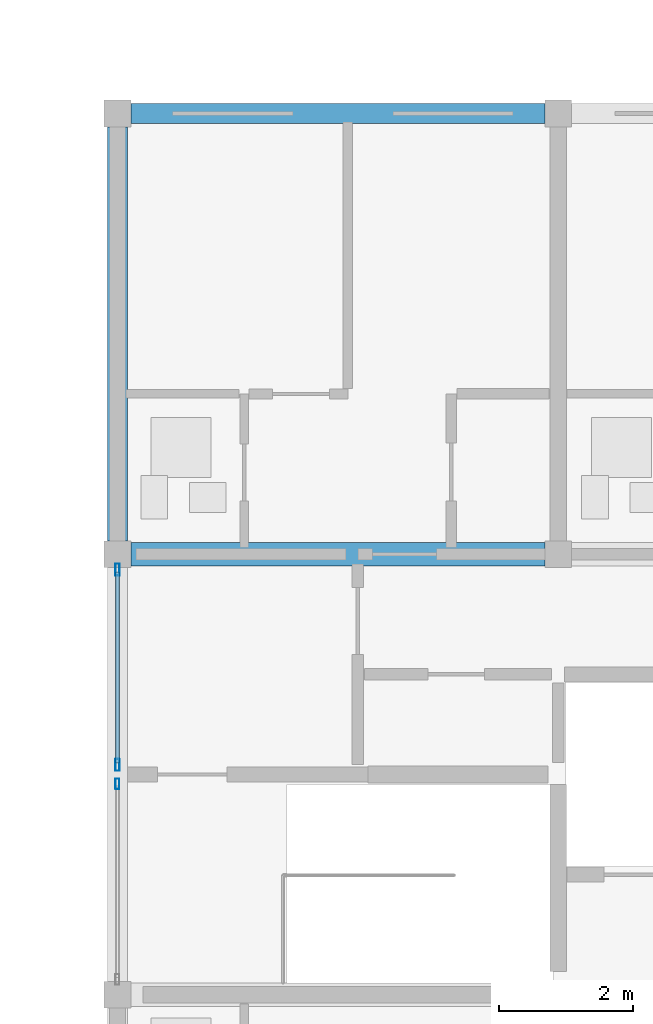
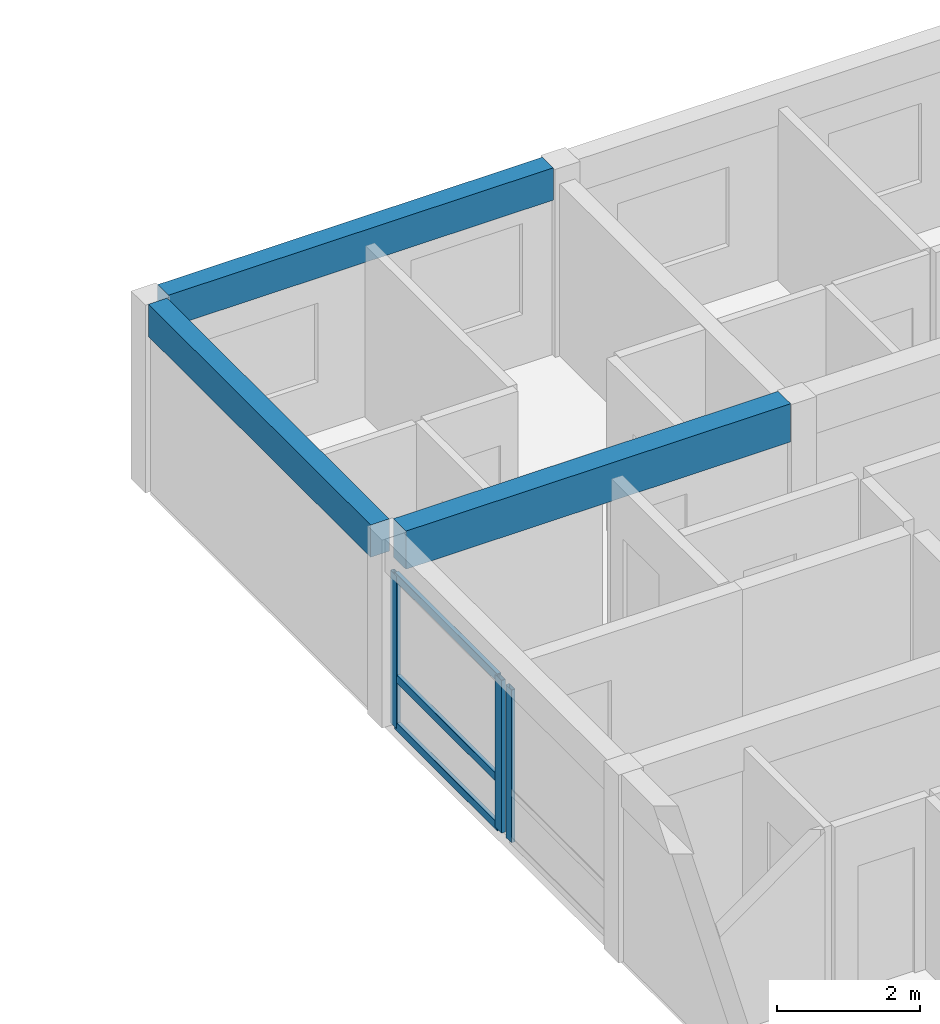
# One storey, part 9 of 23: 6 members, 3 beams, 2 elements without a shape of their own.
"""IFC4 building model written with IfcOpenShell, lengths in metres."""

from ifc_helpers import new_model, si_unit, direction, frame, origin, origin_2d, place, context, subcontext, project, spatial, rectangle, hollow_rectangle, extrude, material, material_profile, profile_set, type_object, element, aggregate, save


model = new_model("IFC4")

# Units and contexts
model_context = context("Model", 3, precision=1e-05, world=origin(), true_north=direction((0.0, 1.0)))
body_context = subcontext(model_context, "Body", "Model", "MODEL_VIEW")
ifc_project = project(units=[si_unit("LENGTHUNIT", "METRE"), si_unit("AREAUNIT", "SQUARE_METRE"), si_unit("VOLUMEUNIT", "CUBIC_METRE"), si_unit("PLANEANGLEUNIT", "RADIAN"), si_unit("MASSUNIT", "GRAM", prefix="KILO")], contexts=[model_context])

# Site, building, storey
site_placement = place(None, origin())
site = spatial("IfcSite", under=ifc_project, at=site_placement, CompositionType="ELEMENT")
building_placement = place(site_placement, origin())
building = spatial("IfcBuilding", under=site, at=building_placement, Name="Kernevlak Ridge Housing Community", CompositionType="ELEMENT")
storey_placement = place(building_placement, frame((0.0, 0.0, 46.800048828125)))
storey = spatial("IfcBuildingStorey", under=building, at=storey_placement, Name="L14", CompositionType="ELEMENT", Elevation=46.800048828125)

# Beam
ifc_material_1 = material(Name="Concrete C35/45", Category="concrete")
ifc_material_profile_1 = material_profile(ifc_material_1, rectangle(XDim=0.35009765625, YDim=0.64990234375, at=origin_2d()), Name="RC 350x650")
ifc_profile_set_1 = profile_set([ifc_material_profile_1], Name="Concrete C35/45")
beam_type_1 = type_object("IfcBeamType", Name="B-02", PredefinedType="BEAM", material=ifc_profile_set_1)
beam_placement = place(storey_placement, frame((119.60009765625, 95.800048828125, 2.875), z_axis=(1.0, 0.0, 0.0), x_axis=(0.0, 1.0, 0.0)))
element("IfcBeam", 1, at=beam_placement, inside=storey, type_object=beam_type_1, Name="Beam B-02 L14 945", PredefinedType="BEAM", context=body_context, shape_type="SweptSolid", body=[
    extrude(rectangle(XDim=0.35009765625, YDim=0.64990234375, at=origin_2d()), origin(), (0.0, 0.0, 1.0), 6.199951171875),
])

# Curtain wall, member
ifc_material_2 = material(Name="Aluminium EN AW-6060 anodised and laminated glass", Category="aluminium")
curtain_wall_type_1 = type_object("IfcCurtainWallType", Name="CW-04", PredefinedType="NOTDEFINED", material=ifc_material_2)
curtain_wall_1_placement = place(storey_placement, origin())
curtain_wall_1 = element("IfcCurtainWall", 2, at=curtain_wall_1_placement, inside=storey, type_object=curtain_wall_type_1, Name="Curtain wall CW-04 CW-L14-097", PredefinedType="NOTDEFINED")
ifc_material_3 = material(Name="Aluminium EN AW-6060 anodised", Category="aluminium")
ifc_material_profile_2 = material_profile(ifc_material_3, hollow_rectangle(XDim=0.06005859375, YDim=0.159912109375, WallThickness=0.00390625, InnerFilletRadius=0.001953125, OuterFilletRadius=0.00390625, at=origin_2d()), Name="ALU 60x160x4")
ifc_profile_set_2 = profile_set([ifc_material_profile_2], Name="Aluminium EN AW-6060 anodised")
member_type_1 = type_object("IfcMemberType", Name="MU-02", PredefinedType="MULLION", material=ifc_profile_set_2)
member_1_placement = place(storey_placement, frame((119.39990234375, 92.360107421875, 0.0), z_axis=(0.0, 0.0, 1.0), x_axis=(-1.0, 0.0, 0.0)))
member_1 = element("IfcMember", 3, at=member_1_placement, type_object=member_type_1, Name="CW-04 mullion 2", PredefinedType="MULLION", context=body_context, shape_type="SweptSolid", body=[
    extrude(hollow_rectangle(XDim=0.06005859375, YDim=0.159912109375, WallThickness=0.00390625, InnerFilletRadius=0.001953125, OuterFilletRadius=0.00390625, at=origin_2d()), origin(), (0.0, 0.0, 1.0), 2.599853515625),
])
aggregate(curtain_wall_1, [member_1])

# Curtain wall, members
curtain_wall_type_2 = type_object("IfcCurtainWallType", Name="CW-09", PredefinedType="NOTDEFINED", material=ifc_material_2)
curtain_wall_2_placement = place(storey_placement, origin())
curtain_wall_2 = element("IfcCurtainWall", 4, at=curtain_wall_2_placement, inside=storey, type_object=curtain_wall_type_2, Name="Curtain wall CW-09 CW-L14-098", PredefinedType="NOTDEFINED")
ifc_material_profile_3 = material_profile(ifc_material_3, hollow_rectangle(XDim=0.06494140625, YDim=0.179931640625, WallThickness=0.00439453125, InnerFilletRadius=0.001953125, OuterFilletRadius=0.00439453125, at=origin_2d()), Name="ALU 65x180x4.5")
ifc_profile_set_3 = profile_set([ifc_material_profile_3], Name="Aluminium EN AW-6060 anodised")
member_type_2 = type_object("IfcMemberType", Name="MU-03", PredefinedType="MULLION", material=ifc_profile_set_3)
member_2_placement = place(storey_placement, frame((119.39990234375, 92.642578125, 0.0), z_axis=(0.0, 0.0, 1.0), x_axis=(-1.0, 0.0, 0.0)))
member_2 = element("IfcMember", 5, at=member_2_placement, type_object=member_type_2, Name="CW-09 mullion 1", PredefinedType="MULLION", context=body_context, shape_type="SweptSolid", body=[
    extrude(hollow_rectangle(XDim=0.06494140625, YDim=0.179931640625, WallThickness=0.00439453125, InnerFilletRadius=0.001953125, OuterFilletRadius=0.00439453125, at=origin_2d()), origin(), (0.0, 0.0, 1.0), 2.599853515625),
])
member_3_placement = place(storey_placement, frame((119.39990234375, 95.5673828125, 0.0), z_axis=(0.0, 0.0, 1.0), x_axis=(-1.0, 0.0, 0.0)))
member_3 = element("IfcMember", 6, at=member_3_placement, type_object=member_type_2, Name="CW-09 mullion 2", PredefinedType="MULLION", context=body_context, shape_type="SweptSolid", body=[
    extrude(hollow_rectangle(XDim=0.06494140625, YDim=0.179931640625, WallThickness=0.00439453125, InnerFilletRadius=0.001953125, OuterFilletRadius=0.00439453125, at=origin_2d()), origin(), (0.0, 0.0, 1.0), 2.599853515625),
])

# Beams
ifc_material_profile_4 = material_profile(ifc_material_1, rectangle(XDim=0.300048828125, YDim=0.550048828125, at=origin_2d()), Name="RC 300x550")
ifc_profile_set_4 = profile_set([ifc_material_profile_4], Name="Concrete C35/45")
beam_type_2 = type_object("IfcBeamType", Name="SP-01", PredefinedType="SPANDREL", material=ifc_profile_set_4)
for number, where, z_axis, x_axis, name in (
    (7, (119.60009765625, 102.39990234375, 2.925048828125), (1.0, 0.0, 0.0), (0.0, 1.0, 0.0), "Beam SP-01 L14 949"),
    (8, (119.39990234375, 96.0, 2.925048828125), (0.0, 1.0, 0.0), (-1.0, 0.0, 0.0), "Beam SP-01 L14 955"),
):
    element("IfcBeam", number, at=place(storey_placement, frame(where, z_axis=z_axis, x_axis=x_axis)), inside=storey, type_object=beam_type_2, Name=name, PredefinedType="SPANDREL", context=body_context, shape_type="SweptSolid", body=[
        extrude(rectangle(XDim=0.300048828125, YDim=0.550048828125, at=origin_2d()), origin(), (0.0, 0.0, 1.0), 6.199951171875),
    ])

# Member
ifc_material_profile_5 = material_profile(ifc_material_3, hollow_rectangle(XDim=0.06494140625, YDim=0.139892578125, WallThickness=0.00390625, InnerFilletRadius=0.001953125, OuterFilletRadius=0.00390625, at=origin_2d()), Name="ALU 65x140x4")
ifc_profile_set_5 = profile_set([ifc_material_profile_5], Name="Aluminium EN AW-6060 anodised")
member_type_3 = type_object("IfcMemberType", Name="TM-03", PredefinedType="USERDEFINED", material=ifc_profile_set_5)
member_4_placement = place(storey_placement, frame((119.39990234375, 92.675048828125, 0.032470703125), z_axis=(0.0, 1.0, 0.0), x_axis=(-1.0, 0.0, 0.0)))
member_4 = element("IfcMember", 9, at=member_4_placement, type_object=member_type_3, Name="CW-09 transom 1.1", ObjectType="TRANSOM", PredefinedType="USERDEFINED", context=body_context, shape_type="SweptSolid", body=[
    extrude(hollow_rectangle(XDim=0.06494140625, YDim=0.139892578125, WallThickness=0.00390625, InnerFilletRadius=0.001953125, OuterFilletRadius=0.00390625, at=origin_2d()), origin(), (0.0, 0.0, 1.0), 2.85986328125),
])

member_5_placement = place(storey_placement, frame((119.39990234375, 92.675048828125, 0.849853515625), z_axis=(0.0, 1.0, 0.0), x_axis=(-1.0, 0.0, 0.0)))
member_5 = element("IfcMember", 10, at=member_5_placement, type_object=member_type_3, Name="CW-09 transom 1.2", ObjectType="TRANSOM", PredefinedType="USERDEFINED", context=body_context, shape_type="SweptSolid", body=[
    extrude(hollow_rectangle(XDim=0.06494140625, YDim=0.139892578125, WallThickness=0.00390625, InnerFilletRadius=0.001953125, OuterFilletRadius=0.00390625, at=origin_2d()), origin(), (0.0, 0.0, 1.0), 2.85986328125),
])

member_6_placement = place(storey_placement, frame((119.39990234375, 92.675048828125, 2.5673828125), z_axis=(0.0, 1.0, 0.0), x_axis=(-1.0, 0.0, 0.0)))
member_6 = element("IfcMember", 11, at=member_6_placement, type_object=member_type_3, Name="CW-09 transom 1.3", ObjectType="TRANSOM", PredefinedType="USERDEFINED", context=body_context, shape_type="SweptSolid", body=[
    extrude(hollow_rectangle(XDim=0.06494140625, YDim=0.139892578125, WallThickness=0.00390625, InnerFilletRadius=0.001953125, OuterFilletRadius=0.00390625, at=origin_2d()), origin(), (0.0, 0.0, 1.0), 2.85986328125),
])

aggregate(curtain_wall_2, [member_2, member_3, member_4, member_5, member_6])

save(model, "model.ifc")
